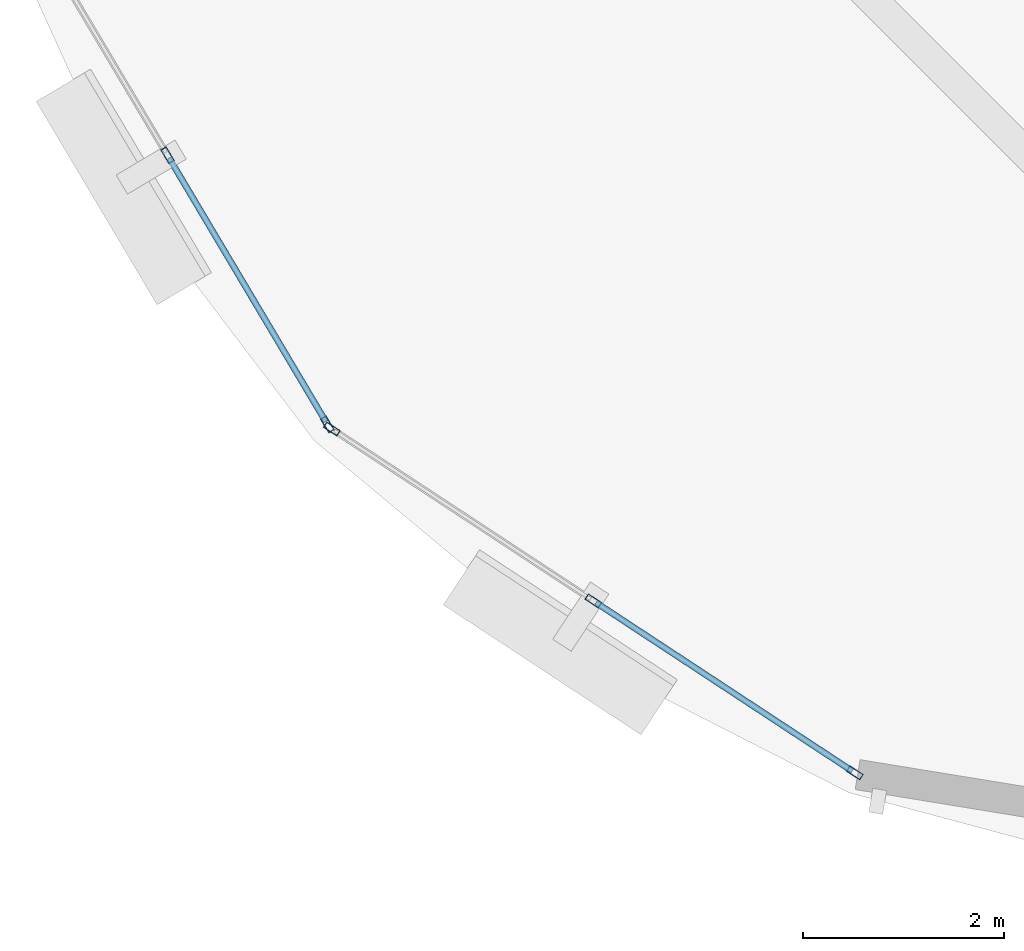
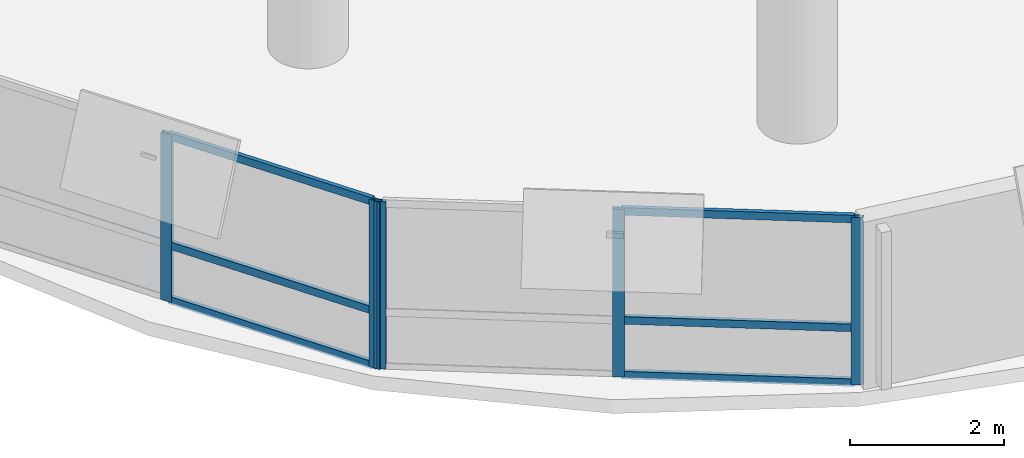
# One storey, part 2 of 12: 11 members, 2 elements without a shape of their own.
"""IFC4 building model written with IfcOpenShell, lengths in metres."""

import ifcopenshell
import ifcopenshell.guid

model = None  # the IFC model being written
_history = None  # IfcOwnerHistory: only IFC2X3 demands one
_inside = {}  # id of a spatial element -> (the spatial element, [elements in it])
_under = {}  # id of a project, library or spatial element -> (it, [spatial elements below it])
_declared = {}  # id of a project -> (the project, [libraries it declares])
_typed = {}  # id of a type object -> (the type object, [elements of that type])
_made_of = {}  # id of a material, layer set ... -> (it, [elements and type objects made of it])


def new_model(schema):
    """Start an empty IFC model of exactly this schema.

    Asked for "IFC4X3", IfcOpenShell would pick the latest addendum, in which some entities
    have other attributes; the version numbers below select the first issue.
    IFC2X3 requires an IfcOwnerHistory on every rooted entity: one is made here for all.
    """
    global model, _history
    if schema == "IFC4X3":
        model = ifcopenshell.file(schema_version=(4, 3, 0, 0))
    else:
        model = ifcopenshell.file(schema=schema)
    _inside.clear()
    _under.clear()
    _declared.clear()
    _typed.clear()
    _made_of.clear()
    _history = None
    if model.schema == "IFC2X3":
        org = make("IfcOrganization", Name="unknown")
        user = make(
            "IfcPersonAndOrganization",
            ThePerson=make("IfcPerson", FamilyName="unknown"),
            TheOrganization=org,
        )
        app = make(
            "IfcApplication",
            ApplicationDeveloper=org,
            Version="unknown",
            ApplicationFullName="unknown",
            ApplicationIdentifier="unknown",
        )
        _history = make(
            "IfcOwnerHistory",
            OwningUser=user,
            OwningApplication=app,
            ChangeAction="ADDED",
            CreationDate=0,
        )
    return model


def make(cls, **values):
    """One entity of the class cls with the attributes given. An attribute that is None is left unset."""
    return model.create_entity(
        cls, **{name: value for name, value in values.items() if value is not None}
    )


def rooted(cls, **values):
    """An entity with a GlobalId (a new one), such as an element, a storey or a relation."""
    return make(cls, GlobalId=ifcopenshell.guid.new(), OwnerHistory=_history, **values)


def si_unit(unit_type, name, prefix=None):
    """IfcSIUnit, for example si_unit("LENGTHUNIT", "METRE", prefix="MILLI")."""
    return make("IfcSIUnit", UnitType=unit_type, Prefix=prefix, Name=name)


def assignment(units):
    """IfcUnitAssignment: the units of a project."""
    return None if units is None else make("IfcUnitAssignment", Units=units)


def point(xyz):
    """IfcCartesianPoint."""
    return None if xyz is None else make("IfcCartesianPoint", Coordinates=xyz)


def direction(xyz):
    """IfcDirection."""
    return None if xyz is None else make("IfcDirection", DirectionRatios=xyz)


def frame(location, z_axis=None, x_axis=None):
    """IfcAxis2Placement3D, a coordinate frame: its origin and axes. An axis left out is left unset."""
    return make(
        "IfcAxis2Placement3D",
        Location=point(location),
        Axis=direction(z_axis),
        RefDirection=direction(x_axis),
    )


def frame_2d(location, x_axis=None):
    """IfcAxis2Placement2D, a coordinate frame in the plane: its origin and x axis."""
    return make(
        "IfcAxis2Placement2D", Location=point(location), RefDirection=direction(x_axis)
    )


def origin():
    """The frame at (0, 0, 0) with its axes left unset."""
    return frame((0.0, 0.0, 0.0))


def origin_2d():
    """The frame at (0, 0) in the plane with its x axis left unset."""
    return frame_2d((0.0, 0.0))


def place(relative_to, where):
    """IfcLocalPlacement: puts the frame where relative to a parent placement (None: the world)."""
    return make(
        "IfcLocalPlacement", PlacementRelTo=relative_to, RelativePlacement=where
    )


def context(
    kind, dimensions, precision=None, world=None, true_north=None, identifier=None
):
    """IfcGeometricRepresentationContext, for example the 3D "Model" context."""
    return make(
        "IfcGeometricRepresentationContext",
        ContextIdentifier=identifier,
        ContextType=kind,
        CoordinateSpaceDimension=dimensions,
        Precision=precision,
        WorldCoordinateSystem=world,
        TrueNorth=true_north,
    )


def subcontext(parent, identifier, kind, view, scale=None):
    """IfcGeometricRepresentationSubContext, for example "Body" below "Model"."""
    return make(
        "IfcGeometricRepresentationSubContext",
        ContextIdentifier=identifier,
        ContextType=kind,
        ParentContext=parent,
        TargetScale=scale,
        TargetView=view,
    )


def project(units=None, contexts=None):
    """IfcProject with its units and contexts."""
    return rooted(
        "IfcProject",
        Name="project",
        RepresentationContexts=contexts,
        UnitsInContext=assignment(units),
    )


def spatial(cls, under=None, at=None, **own):
    """A site, building, storey or space (cls), placed at a placement, below another one or the project."""
    s = rooted(cls, ObjectPlacement=at, **own)
    if under is not None:
        _under.setdefault(under.id(), (under, []))[1].append(s)
    return s


def profile(cls, at=None, kind="AREA", **sizes):
    """A parametric profile (cls). Its sizes go by their IFC names, for example OverallWidth=200.0."""
    return make(cls, ProfileType=kind, Position=at, **sizes)


def hollow_rectangle(**sizes):
    """IfcRectangleHollowProfileDef."""
    return profile("IfcRectangleHollowProfileDef", **sizes)


def extrude(swept, where, along, depth):
    """IfcExtrudedAreaSolid: the profile swept, set in the frame where, extruded along a direction by depth."""
    return make(
        "IfcExtrudedAreaSolid",
        SweptArea=swept,
        Position=where,
        ExtrudedDirection=direction(along),
        Depth=depth,
    )


def shape(context_of_items, identifier, shape_type, items):
    """IfcShapeRepresentation: the items that make up one representation, for example the "Body"."""
    return make(
        "IfcShapeRepresentation",
        ContextOfItems=context_of_items,
        RepresentationIdentifier=identifier,
        RepresentationType=shape_type,
        Items=items,
    )


def material(Name=None, Category=None):
    """IfcMaterial."""
    return make("IfcMaterial", Name=Name, Category=Category)


def layer(
    of_material, thickness, ventilated=None, Name=None, Category=None, Priority=None
):
    """IfcMaterialLayer: one layer of a wall or slab, of a material (None: an air gap)."""
    return make(
        "IfcMaterialLayer",
        Material=of_material,
        LayerThickness=thickness,
        IsVentilated=ventilated,
        Name=Name,
        Category=Category,
        Priority=Priority,
    )


def layer_set(layers, Name=None):
    """IfcMaterialLayerSet."""
    return make("IfcMaterialLayerSet", MaterialLayers=layers, LayerSetName=Name)


def material_profile(
    of_material, cross_section, Name=None, Category=None, Priority=None
):
    """IfcMaterialProfile: a cross section and its material."""
    return make(
        "IfcMaterialProfile",
        Name=Name,
        Material=of_material,
        Profile=cross_section,
        Priority=Priority,
        Category=Category,
    )


def profile_set(profiles, Name=None, composite=None):
    """IfcMaterialProfileSet."""
    return make(
        "IfcMaterialProfileSet",
        Name=Name,
        MaterialProfiles=profiles,
        CompositeProfile=composite,
    )


def made_of(thing, what):
    """Note that an element or type object is made of a material, layer set ...; save() writes the relation."""
    if what is not None:
        _made_of.setdefault(what.id(), (what, []))[1].append(thing)
    return thing


def type_object(cls, material=None, **own):
    """A type object (cls), such as IfcWallType, which elements share."""
    return made_of(rooted(cls, **own), material)


def element(
    cls,
    number,
    at=None,
    inside=None,
    cuts=None,
    type_object=None,
    material=None,
    context=None,
    identifier="Body",
    shape_type=None,
    held_by="IfcProductDefinitionShape",
    body=None,
    shapes=None,
    **own,
):
    """One element of the class cls, such as IfcWall. Its Tag is "e" and its number.

    at: its placement. inside: the storey or other place that contains it. cuts: it is an
    opening in that element (IfcRelVoidsElement). A single representation is given by context,
    identifier, shape_type and body (its items); several are given by shapes. held_by: the class
    of the entity that holds the representations. save() writes the other relations.
    """
    e = rooted(cls, Tag="e%d" % number, ObjectPlacement=at, **own)
    if body is not None:
        shapes = [shape(context, identifier, shape_type, body)]
    if shapes is not None:
        e.Representation = make(held_by, Representations=shapes)
    if inside is not None:
        _inside.setdefault(inside.id(), (inside, []))[1].append(e)
    if cuts is not None:
        rooted(
            "IfcRelVoidsElement", RelatingBuildingElement=cuts, RelatedOpeningElement=e
        )
    if type_object is not None:
        _typed.setdefault(type_object.id(), (type_object, []))[1].append(e)
    return made_of(e, material)


def aggregate(whole, parts):
    """IfcRelAggregates: a whole, such as a stair, and the parts it consists of."""
    return rooted("IfcRelAggregates", RelatingObject=whole, RelatedObjects=parts)


def save(model, path):
    """Write the relations noted so far, then the file.

    IfcRelAggregates (storeys below a building ...), IfcRelContainedInSpatialStructure (elements
    in a storey), IfcRelDefinesByType, IfcRelAssociatesMaterial and IfcRelDeclares: one each for
    every whole, place, type object, material and project.
    """
    for whole, parts in _under.values():
        aggregate(whole, parts)
    for where, things in _inside.values():
        rooted(
            "IfcRelContainedInSpatialStructure",
            RelatedElements=things,
            RelatingStructure=where,
        )
    for kind, things in _typed.values():
        rooted("IfcRelDefinesByType", RelatedObjects=things, RelatingType=kind)
    for what, things in _made_of.values():
        rooted("IfcRelAssociatesMaterial", RelatedObjects=things, RelatingMaterial=what)
    for by, libraries in _declared.values():
        rooted("IfcRelDeclares", RelatingContext=by, RelatedDefinitions=libraries)
    model.write(path)


model = new_model("IFC4")

# Units and contexts
model_context = context("Model", 3, precision=1e-05, world=origin(), true_north=direction((0.0, 1.0)))
body_context = subcontext(model_context, "Body", "Model", "MODEL_VIEW")
ifc_project = project(units=[si_unit("LENGTHUNIT", "METRE"), si_unit("AREAUNIT", "SQUARE_METRE"), si_unit("VOLUMEUNIT", "CUBIC_METRE"), si_unit("PLANEANGLEUNIT", "RADIAN"), si_unit("MASSUNIT", "GRAM", prefix="KILO"), si_unit("THERMODYNAMICTEMPERATUREUNIT", "KELVIN"), si_unit("POWERUNIT", "WATT")], contexts=[model_context])

# Site, building, storey
site_placement = place(None, origin())
site = spatial("IfcSite", under=ifc_project, at=site_placement, CompositionType="ELEMENT")
building_placement = place(site_placement, origin())
building = spatial("IfcBuilding", under=site, at=building_placement, Name="Ocrelia Relay Tower", CompositionType="ELEMENT")
storey_placement = place(building_placement, frame((0.0, 0.0, 213.199951171875)))
storey = spatial("IfcBuildingStorey", under=building, at=storey_placement, Name="L52", CompositionType="ELEMENT", Elevation=213.199951171875)

# Curtain wall, members
ifc_material_1 = material(Name="Aluminium and solar-control low-E glass", Category="aluminium")
ifc_layer = layer(ifc_material_1, 0.179931640625, Name="Aluminium and solar-control low-E glass")
ifc_layer_set = layer_set([ifc_layer], Name="Aluminium and solar-control low-E glass")
curtain_wall_type = type_object("IfcCurtainWallType", Name="CW-SYS-Z3-CLOU", PredefinedType="NOTDEFINED", material=ifc_layer_set)
curtain_wall_1_placement = place(storey_placement, origin())
curtain_wall_1 = element("IfcCurtainWall", 1, at=curtain_wall_1_placement, inside=storey, type_object=curtain_wall_type, Name="L52 Elliptical Tower Curtain Wall Bay 09", PredefinedType="NOTDEFINED")
ifc_material_2 = material(Name="Anodised bronze aluminium", Category="aluminium")
ifc_material_profile_1 = material_profile(ifc_material_2, hollow_rectangle(XDim=0.06494140625, YDim=0.159912109375, WallThickness=0.0048828125, at=origin_2d()), Name="CW-MUL-160x65")
ifc_profile_set_1 = profile_set([ifc_material_profile_1], Name="Anodised bronze aluminium")
member_type_1 = type_object("IfcMemberType", Name="CW-SYS-Z3-CLOU-MUL", PredefinedType="MULLION", material=ifc_profile_set_1)
member_1_placement = place(storey_placement, frame((15.477783203125, 12.533935546875, 0.0), z_axis=(0.0, 0.0, 1.0), x_axis=(0.859669086208, 0.510851311263, 0.0)))
member_1 = element("IfcMember", 2, at=member_1_placement, type_object=member_type_1, Name="CW-Z3 mullion 2", PredefinedType="MULLION", context=body_context, shape_type="SweptSolid", body=[
    extrude(hollow_rectangle(XDim=0.06494140625, YDim=0.159912109375, WallThickness=0.0048828125, at=origin_2d()), origin(), (0.0, 0.0, 1.0), 2.66015625),
])
member_2_placement = place(storey_placement, frame((17.06591796875, 9.861328125, 0.0), z_axis=(0.0, 0.0, 1.0), x_axis=(0.859669086208, 0.510851311263, 0.0)))
member_2 = element("IfcMember", 3, at=member_2_placement, type_object=member_type_1, Name="CW-Z3 mullion 3", PredefinedType="MULLION", context=body_context, shape_type="SweptSolid", body=[
    extrude(hollow_rectangle(XDim=0.06494140625, YDim=0.159912109375, WallThickness=0.0048828125, at=origin_2d()), origin(), (0.0, 0.0, 1.0), 2.66015625),
])

curtain_wall_2_placement = place(storey_placement, origin())
curtain_wall_2 = element("IfcCurtainWall", 4, at=curtain_wall_2_placement, inside=storey, type_object=curtain_wall_type, Name="L52 Elliptical Tower Curtain Wall Bay 10", PredefinedType="NOTDEFINED")
member_3_placement = place(storey_placement, frame((17.10986328125, 9.8154296875, 0.0), z_axis=(0.0, 0.0, 1.0), x_axis=(0.549318579608, 0.835613007377, 0.0)))
member_3 = element("IfcMember", 5, at=member_3_placement, type_object=member_type_1, Name="CW-Z3 mullion 1", PredefinedType="MULLION", context=body_context, shape_type="SweptSolid", body=[
    extrude(hollow_rectangle(XDim=0.06494140625, YDim=0.159912109375, WallThickness=0.0048828125, at=origin_2d()), origin(), (0.0, 0.0, 1.0), 2.66015625),
])
member_4_placement = place(storey_placement, frame((19.70751953125, 8.10791015625, 0.0), z_axis=(0.0, 0.0, 1.0), x_axis=(0.549318579608, 0.835613007377, 0.0)))
member_4 = element("IfcMember", 6, at=member_4_placement, type_object=member_type_1, Name="CW-Z3 mullion 2", PredefinedType="MULLION", context=body_context, shape_type="SweptSolid", body=[
    extrude(hollow_rectangle(XDim=0.06494140625, YDim=0.159912109375, WallThickness=0.0048828125, at=origin_2d()), origin(), (0.0, 0.0, 1.0), 2.66015625),
])
member_5_placement = place(storey_placement, frame((22.305419921875, 6.400146484375, 0.0), z_axis=(0.0, 0.0, 1.0), x_axis=(0.549318579608, 0.835613007377, 0.0)))
member_5 = element("IfcMember", 7, at=member_5_placement, type_object=member_type_1, Name="CW-Z3 mullion 3", PredefinedType="MULLION", context=body_context, shape_type="SweptSolid", body=[
    extrude(hollow_rectangle(XDim=0.06494140625, YDim=0.159912109375, WallThickness=0.0048828125, at=origin_2d()), origin(), (0.0, 0.0, 1.0), 2.66015625),
])

# Member
ifc_material_profile_2 = material_profile(ifc_material_2, hollow_rectangle(XDim=0.06005859375, YDim=0.1201171875, WallThickness=0.0048828125, at=origin_2d()), Name="CW-TRN-120x60")
ifc_profile_set_2 = profile_set([ifc_material_profile_2], Name="Anodised bronze aluminium")
member_type_2 = type_object("IfcMemberType", Name="CW-SYS-Z3-CLOU-TRN", PredefinedType="USERDEFINED", material=ifc_profile_set_2)
member_6_placement = place(storey_placement, frame((15.494384765625, 12.505859375, 0.030029296875), z_axis=(0.510846350528, -0.859672034064, 0.0), x_axis=(0.859672034064, 0.510846350528, 0.0)))
member_6 = element("IfcMember", 8, at=member_6_placement, type_object=member_type_2, Name="CW-Z3 transom 2.1", ObjectType="TRANSOM", PredefinedType="USERDEFINED", context=body_context, shape_type="SweptSolid", body=[
    extrude(hollow_rectangle(XDim=0.06005859375, YDim=0.1201171875, WallThickness=0.0048828125, at=origin_2d()), origin(), (0.0, 0.0, 1.0), 3.0439453125),
])

member_7_placement = place(storey_placement, frame((15.494384765625, 12.505859375, 0.900146484375), z_axis=(0.510846350528, -0.859672034064, 0.0), x_axis=(0.859672034064, 0.510846350528, 0.0)))
member_7 = element("IfcMember", 9, at=member_7_placement, type_object=member_type_2, Name="CW-Z3 transom 2.2", ObjectType="TRANSOM", PredefinedType="USERDEFINED", context=body_context, shape_type="SweptSolid", body=[
    extrude(hollow_rectangle(XDim=0.06005859375, YDim=0.1201171875, WallThickness=0.0048828125, at=origin_2d()), origin(), (0.0, 0.0, 1.0), 3.0439453125),
])

member_8_placement = place(storey_placement, frame((15.494384765625, 12.505859375, 2.630126953125), z_axis=(0.510846350528, -0.859672034064, 0.0), x_axis=(0.859672034064, 0.510846350528, 0.0)))
member_8 = element("IfcMember", 10, at=member_8_placement, type_object=member_type_2, Name="CW-Z3 transom 2.3", ObjectType="TRANSOM", PredefinedType="USERDEFINED", context=body_context, shape_type="SweptSolid", body=[
    extrude(hollow_rectangle(XDim=0.06005859375, YDim=0.1201171875, WallThickness=0.0048828125, at=origin_2d()), origin(), (0.0, 0.0, 1.0), 3.0439453125),
])

aggregate(curtain_wall_1, [member_1, member_2, member_6, member_7, member_8])

member_9_placement = place(storey_placement, frame((19.734619140625, 8.08984375, 0.030029296875), z_axis=(0.835636054561, -0.549283519066, 0.0), x_axis=(0.549283519066, 0.835636054561, 0.0)))
member_9 = element("IfcMember", 11, at=member_9_placement, type_object=member_type_2, Name="CW-Z3 transom 2.1", ObjectType="TRANSOM", PredefinedType="USERDEFINED", context=body_context, shape_type="SweptSolid", body=[
    extrude(hollow_rectangle(XDim=0.06005859375, YDim=0.1201171875, WallThickness=0.0048828125, at=origin_2d()), origin(), (0.0, 0.0, 1.0), 3.043701171875),
])

member_10_placement = place(storey_placement, frame((19.734619140625, 8.08984375, 0.900146484375), z_axis=(0.835636054561, -0.549283519066, 0.0), x_axis=(0.549283519066, 0.835636054561, 0.0)))
member_10 = element("IfcMember", 12, at=member_10_placement, type_object=member_type_2, Name="CW-Z3 transom 2.2", ObjectType="TRANSOM", PredefinedType="USERDEFINED", context=body_context, shape_type="SweptSolid", body=[
    extrude(hollow_rectangle(XDim=0.06005859375, YDim=0.1201171875, WallThickness=0.0048828125, at=origin_2d()), origin(), (0.0, 0.0, 1.0), 3.043701171875),
])

member_11_placement = place(storey_placement, frame((19.734619140625, 8.08984375, 2.630126953125), z_axis=(0.835636054561, -0.549283519066, 0.0), x_axis=(0.549283519066, 0.835636054561, 0.0)))
member_11 = element("IfcMember", 13, at=member_11_placement, type_object=member_type_2, Name="CW-Z3 transom 2.3", ObjectType="TRANSOM", PredefinedType="USERDEFINED", context=body_context, shape_type="SweptSolid", body=[
    extrude(hollow_rectangle(XDim=0.06005859375, YDim=0.1201171875, WallThickness=0.0048828125, at=origin_2d()), origin(), (0.0, 0.0, 1.0), 3.043701171875),
])

aggregate(curtain_wall_2, [member_3, member_4, member_5, member_9, member_10, member_11])

save(model, "model.ifc")
